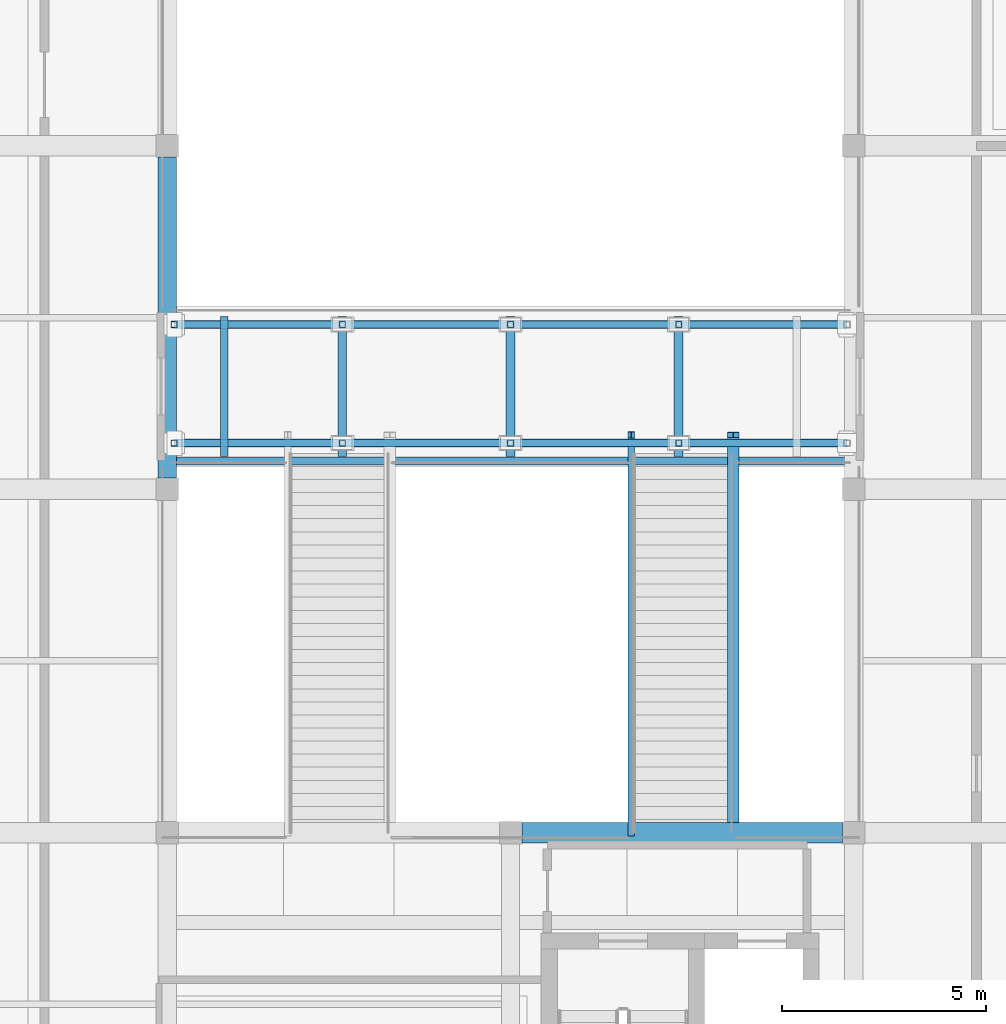
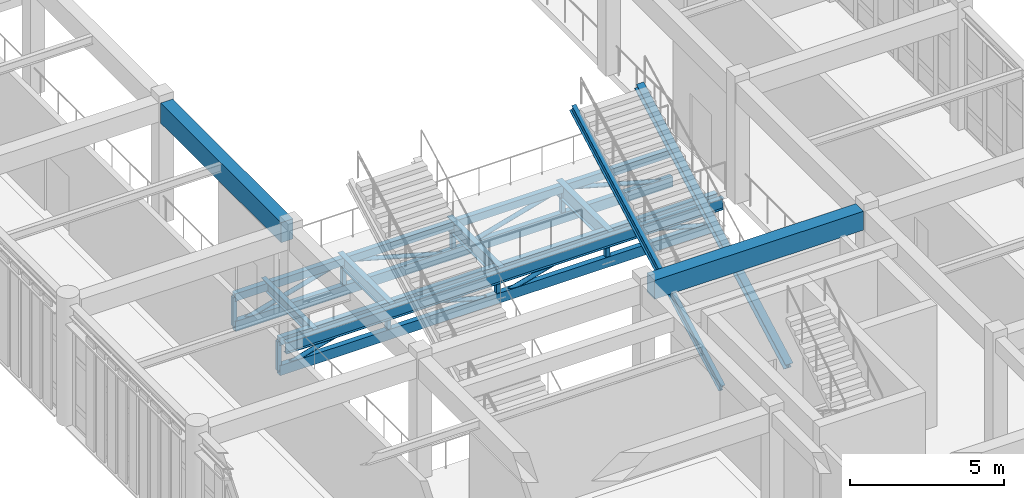
# One storey, part 19 of 106: 22 members, 7 beams.
"""IFC4 building model written with IfcOpenShell, lengths in metres."""

from ifc_helpers import new_model, si_unit, direction, frame, origin, origin_2d, place, context, subcontext, project, spatial, rectangle, hollow_rectangle, hollow_circle, i_section, extrude, material, material_profile, profile_set, type_object, element, save


model = new_model("IFC4")

# Units and contexts
model_context = context("Model", 3, precision=1e-05, world=origin(), true_north=direction((0.0, 1.0)))
body_context = subcontext(model_context, "Body", "Model", "MODEL_VIEW")
ifc_project = project(units=[si_unit("LENGTHUNIT", "METRE"), si_unit("AREAUNIT", "SQUARE_METRE"), si_unit("VOLUMEUNIT", "CUBIC_METRE"), si_unit("PLANEANGLEUNIT", "RADIAN"), si_unit("MASSUNIT", "GRAM", prefix="KILO")], contexts=[model_context])

# Site, building, storey
site_placement = place(None, origin())
site = spatial("IfcSite", under=ifc_project, at=site_placement, CompositionType="ELEMENT")
building_placement = place(site_placement, origin())
building = spatial("IfcBuilding", under=site, at=building_placement, Name="Krzemoval Escarpment Law Courts", CompositionType="ELEMENT")
storey_placement = place(building_placement, frame((0.0, 0.0, 5.10009765625)))
storey = spatial("IfcBuildingStorey", under=building, at=storey_placement, Name="L01", CompositionType="ELEMENT", Elevation=5.10009765625)

# Beams
ifc_material_1 = material(Name="Concrete C40/50", Category="concrete")
ifc_material_profile_1 = material_profile(ifc_material_1, rectangle(XDim=0.449951171875, YDim=0.800048828125, at=origin_2d()), Name="RCB 450x800")
ifc_profile_set_1 = profile_set([ifc_material_profile_1], Name="Concrete C40/50")
beam_type_1 = type_object("IfcBeamType", Name="BM-RC-450x800", PredefinedType="BEAM", material=ifc_profile_set_1)
beam_1_placement = place(storey_placement, frame((16.800048828125, 57.875, 4.419921875), z_axis=(0.0, 1.0, 0.0), x_axis=(-1.0, 0.0, 0.0)))
element("IfcBeam", 1, at=beam_1_placement, inside=storey, type_object=beam_type_1, Name="Beam FG-L01-1401", PredefinedType="BEAM", context=body_context, shape_type="SweptSolid", body=[
    extrude(rectangle(XDim=0.449951171875, YDim=0.800048828125, at=origin_2d()), origin(), (0.0, 0.0, 1.0), 7.85009765625),
])
ifc_material_2 = material(Name="Concrete C40/50", Category="concrete")
ifc_material_profile_2 = material_profile(ifc_material_2, rectangle(XDim=0.5, YDim=0.75, at=origin_2d()), Name="RCB 500x750")
ifc_profile_set_2 = profile_set([ifc_material_profile_2], Name="Concrete C40/50")
beam_type_2 = type_object("IfcBeamType", Name="BM-RC-500x750", PredefinedType="BEAM", material=ifc_profile_set_2)
beam_2_placement = place(storey_placement, frame((25.47509765625, 49.199951171875, 4.44482421875), z_axis=(1.0, 0.0, 0.0), x_axis=(0.0, 1.0, 0.0)))
element("IfcBeam", 2, at=beam_2_placement, inside=storey, type_object=beam_type_2, Name="Beam FG-L01-1247", PredefinedType="BEAM", context=body_context, shape_type="SweptSolid", body=[
    extrude(rectangle(XDim=0.5, YDim=0.75, at=origin_2d()), origin(), (0.0, 0.0, 1.0), 7.849853515625),
])
ifc_material_3 = material(Name="Steel S355", Category="steel")
ifc_material_profile_3 = material_profile(ifc_material_3, i_section(OverallWidth=0.179931640625, OverallDepth=0.39990234375, WebThickness=0.008544921875, FlangeThickness=0.013427734375, at=origin_2d()), Name="IPE 400")
ifc_profile_set_3 = profile_set([ifc_material_profile_3], Name="Steel S355")
beam_type_3 = type_object("IfcBeamType", Name="BM-S355-IPE400", PredefinedType="BEAM", material=ifc_profile_set_3)
beam_3_placement = place(storey_placement, frame((18.199951171875, 58.39990234375, -0.5), z_axis=(0.0, 1.0, 0.0), x_axis=(-1.0, 0.0, 0.0)))
element("IfcBeam", 3, at=beam_3_placement, inside=storey, type_object=beam_type_3, Name="Bridge Cross Beam BBM-2831", PredefinedType="BEAM", context=body_context, shape_type="SweptSolid", body=[
    extrude(i_section(OverallWidth=0.179931640625, OverallDepth=0.39990234375, WebThickness=0.008544921875, FlangeThickness=0.013427734375, at=origin_2d()), origin(), (0.0, 0.0, 1.0), 3.43017578125),
])
ifc_material_4 = material(Name="Steel S355", Category="steel")
ifc_material_profile_4 = material_profile(ifc_material_4, i_section(OverallWidth=0.18994140625, OverallDepth=0.449951171875, WebThickness=0.009521484375, FlangeThickness=0.0146484375, at=origin_2d()), Name="IPE 450")
ifc_profile_set_4 = profile_set([ifc_material_profile_4], Name="Steel S355")
beam_type_4 = type_object("IfcBeamType", Name="BM-S355-IPE450", PredefinedType="BEAM", material=ifc_profile_set_4)
beam_4_placement = place(storey_placement, frame((16.969970703125, 58.2900390625, -0.525146484375), z_axis=(1.0, 0.0, 0.0), x_axis=(0.0, 1.0, 0.0)))
element("IfcBeam", 4, at=beam_4_placement, inside=storey, type_object=beam_type_4, Name="Sky-Bridge Stair Header Beam BSB-BRG-L01-1", PredefinedType="BEAM", context=body_context, shape_type="SweptSolid", body=[
    extrude(i_section(OverallWidth=0.18994140625, OverallDepth=0.449951171875, WebThickness=0.009521484375, FlangeThickness=0.0146484375, at=origin_2d()), origin(), (0.0, 0.0, 1.0), 16.4599609375),
])
ifc_material_5 = material(Name="Steel S355", Category="steel")
ifc_material_profile_5 = material_profile(ifc_material_5, i_section(OverallWidth=0.199951171875, OverallDepth=0.5, WebThickness=0.01025390625, FlangeThickness=0.01611328125, at=origin_2d()), Name="IPE 500")
ifc_profile_set_5 = profile_set([ifc_material_profile_5], Name="Steel S355")
beam_type_5 = type_object("IfcBeamType", Name="BM-S355-IPE500", PredefinedType="BEAM", material=ifc_profile_set_5)
beam_5_placement = place(storey_placement, frame((21.0849609375, 58.39990234375, -0.550048828125), z_axis=(0.0, 1.0, 0.0), x_axis=(-1.0, 0.0, 0.0)))
element("IfcBeam", 5, at=beam_5_placement, inside=storey, type_object=beam_type_5, Name="Bridge Cross Beam BBM-2832", PredefinedType="BEAM", context=body_context, shape_type="SweptSolid", body=[
    extrude(i_section(OverallWidth=0.199951171875, OverallDepth=0.5, WebThickness=0.01025390625, FlangeThickness=0.01611328125, at=origin_2d()), origin(), (0.0, 0.0, 1.0), 3.43017578125),
])
ifc_material_6 = material(Name="Steel S355", Category="steel")
ifc_material_profile_6 = material_profile(ifc_material_6, i_section(OverallWidth=0.2099609375, OverallDepth=0.550048828125, WebThickness=0.010986328125, FlangeThickness=0.01708984375, at=origin_2d()), Name="IPE 550")
ifc_profile_set_6 = profile_set([ifc_material_profile_6], Name="Steel S355")
beam_type_6 = type_object("IfcBeamType", Name="BM-S355-IPE550", PredefinedType="BEAM", material=ifc_profile_set_6)
beam_6_placement = place(storey_placement, frame((25.199951171875, 58.39990234375, -0.5751953125), z_axis=(0.0, 1.0, 0.0), x_axis=(-1.0, 0.0, 0.0)))
element("IfcBeam", 6, at=beam_6_placement, inside=storey, type_object=beam_type_6, Name="Bridge Cross Beam BBM-2833", PredefinedType="BEAM", context=body_context, shape_type="SweptSolid", body=[
    extrude(i_section(OverallWidth=0.2099609375, OverallDepth=0.550048828125, WebThickness=0.010986328125, FlangeThickness=0.01708984375, at=origin_2d()), origin(), (0.0, 0.0, 1.0), 3.43017578125),
])
ifc_material_7 = material(Name="Steel S355", Category="steel")
ifc_material_profile_7 = material_profile(ifc_material_7, i_section(OverallWidth=0.219970703125, OverallDepth=0.60009765625, WebThickness=0.011962890625, FlangeThickness=0.01904296875, at=origin_2d()), Name="IPE 600")
ifc_profile_set_7 = profile_set([ifc_material_profile_7], Name="Steel S355")
beam_type_7 = type_object("IfcBeamType", Name="BM-S355-IPE600", PredefinedType="BEAM", material=ifc_profile_set_7)
beam_7_placement = place(storey_placement, frame((29.31494140625, 58.39990234375, -0.60009765625), z_axis=(0.0, 1.0, 0.0), x_axis=(-1.0, 0.0, 0.0)))
element("IfcBeam", 7, at=beam_7_placement, inside=storey, type_object=beam_type_7, Name="Bridge Cross Beam BBM-2834", PredefinedType="BEAM", context=body_context, shape_type="SweptSolid", body=[
    extrude(i_section(OverallWidth=0.219970703125, OverallDepth=0.60009765625, WebThickness=0.011962890625, FlangeThickness=0.01904296875, at=origin_2d()), origin(), (0.0, 0.0, 1.0), 3.43017578125),
])

# Members
ifc_material_8 = material(Name="Steel S355", Category="steel")
ifc_material_profile_8 = material_profile(ifc_material_8, hollow_circle(Radius=0.084228515625, WallThickness=0.008056640625, at=origin_2d()), Name="CHS 168.3x8")
ifc_profile_set_8 = profile_set([ifc_material_profile_8], Name="Steel S355")
member_type_1 = type_object("IfcMemberType", Name="MBR-BRC-CHS168", PredefinedType="BRACE", material=ifc_profile_set_8)
for number, where, z_axis, x_axis, name in (
    (8, (16.969970703125, 58.72998046875, -1.670166015625), (0.963088538909, 0.0, 0.269184817965), (0.0, 1.0, 0.0), "Bridge Truss Diagonal BBR-0097"),
    (9, (21.0849609375, 58.72998046875, -0.52001953125), (0.963088538909, 0.0, -0.269184817965), (0.0, 1.0, 0.0), "Bridge Truss Diagonal BBR-0098"),
    (10, (25.199951171875, 58.72998046875, -1.670166015625), (0.963088538909, 0.0, 0.269184817965), (0.0, 1.0, 0.0), "Bridge Truss Diagonal BBR-0099"),
    (11, (29.31494140625, 58.72998046875, -0.52001953125), (0.963088538909, 0.0, -0.269184817965), (0.0, 1.0, 0.0), "Bridge Truss Diagonal BBR-0100"),
    (12, (16.969970703125, 61.6298828125, -1.670166015625), (0.963088538909, 0.0, 0.269184817965), (0.0, 1.0, 0.0), "Bridge Truss Diagonal BBR-0108"),
    (13, (21.0849609375, 61.6298828125, -0.52001953125), (0.963088538909, 0.0, -0.269184817965), (0.0, 1.0, 0.0), "Bridge Truss Diagonal BBR-0109"),
    (14, (25.199951171875, 61.6298828125, -1.670166015625), (0.963088538909, 0.0, 0.269184817965), (0.0, 1.0, 0.0), "Bridge Truss Diagonal BBR-0110"),
    (15, (29.31494140625, 61.6298828125, -0.52001953125), (0.963088538909, 0.0, -0.269184817965), (0.0, 1.0, 0.0), "Bridge Truss Diagonal BBR-0111"),
):
    element("IfcMember", number, at=place(storey_placement, frame(where, z_axis=z_axis, x_axis=x_axis)), inside=storey, type_object=member_type_1, Name=name, PredefinedType="BRACE", context=body_context, shape_type="SweptSolid", body=[
        extrude(hollow_circle(Radius=0.084228515625, WallThickness=0.008056640625, at=origin_2d()), origin(), (0.0, 0.0, 1.0), 4.272705078125),
    ])
ifc_material_9 = material(Name="Steel S355", Category="steel")
ifc_material_profile_9 = material_profile(ifc_material_9, hollow_rectangle(XDim=0.199951171875, YDim=0.300048828125, WallThickness=0.012451171875, at=origin_2d()), Name="RHS 300x200x12.5")
ifc_profile_set_9 = profile_set([ifc_material_profile_9], Name="Steel S355")
member_type_2 = type_object("IfcMemberType", Name="MBR-CHD-RHS300", PredefinedType="CHORD", material=ifc_profile_set_9)
for number, where, z_axis, x_axis, name in (
    (16, (16.969970703125, 58.72998046875, -0.52001953125), (1.0, 0.0, 0.0), (0.0, 1.0, 0.0), "Bridge Truss Chord BTC-0096"),
    (17, (16.969970703125, 61.6298828125, -0.52001953125), (1.0, 0.0, 0.0), (0.0, 1.0, 0.0), "Bridge Truss Chord BTC-0107"),
):
    element("IfcMember", number, at=place(storey_placement, frame(where, z_axis=z_axis, x_axis=x_axis)), inside=storey, type_object=member_type_2, Name=name, PredefinedType="CHORD", context=body_context, shape_type="SweptSolid", body=[
        extrude(hollow_rectangle(XDim=0.199951171875, YDim=0.300048828125, WallThickness=0.012451171875, at=origin_2d()), origin(), (0.0, 0.0, 1.0), 16.4599609375),
    ])
ifc_material_10 = material(Name="Steel S355", Category="steel")
ifc_material_profile_10 = material_profile(ifc_material_10, hollow_rectangle(XDim=0.199951171875, YDim=0.39990234375, WallThickness=0.012451171875, at=origin_2d()), Name="RHS 400x200x12.5")
ifc_profile_set_10 = profile_set([ifc_material_profile_10], Name="Steel S355")
member_type_3 = type_object("IfcMemberType", Name="MBR-CHD-RHS400", PredefinedType="CHORD", material=ifc_profile_set_10)
for number, where, z_axis, x_axis, name in (
    (18, (16.969970703125, 58.72998046875, -1.670166015625), (1.0, 0.0, 0.0), (0.0, 1.0, 0.0), "Bridge Truss Chord BTC-0095"),
    (19, (16.969970703125, 61.6298828125, -1.670166015625), (1.0, 0.0, 0.0), (0.0, 1.0, 0.0), "Bridge Truss Chord BTC-0106"),
):
    element("IfcMember", number, at=place(storey_placement, frame(where, z_axis=z_axis, x_axis=x_axis)), inside=storey, type_object=member_type_3, Name=name, PredefinedType="CHORD", context=body_context, shape_type="SweptSolid", body=[
        extrude(hollow_rectangle(XDim=0.199951171875, YDim=0.39990234375, WallThickness=0.012451171875, at=origin_2d()), origin(), (0.0, 0.0, 1.0), 16.4599609375),
    ])
ifc_material_11 = material(Name="Steel S355", Category="steel")
ifc_material_profile_11 = material_profile(ifc_material_11, i_section(OverallWidth=0.280029296875, OverallDepth=0.280029296875, WebThickness=0.010498046875, FlangeThickness=0.01806640625, at=origin_2d()), Name="HEB 280")
ifc_profile_set_11 = profile_set([ifc_material_profile_11], Name="Steel S355")
member_type_4 = type_object("IfcMemberType", Name="MBR-STG-HEB280", PredefinedType="STRINGER", material=ifc_profile_set_11)
member_1_placement = place(storey_placement, frame((30.64990234375, 49.199951171875, -0.550048828125), z_axis=(0.0, 0.879306595946, 0.476256139411), x_axis=(-1.0, 0.0, 0.0)))
element("IfcMember", 20, at=member_1_placement, inside=storey, type_object=member_type_4, Name="Stair Stringer STG-0274", PredefinedType="STRINGER", context=body_context, shape_type="SweptSolid", body=[
    extrude(i_section(OverallWidth=0.280029296875, OverallDepth=0.280029296875, WebThickness=0.010498046875, FlangeThickness=0.01806640625, at=origin_2d()), origin(), (0.0, 0.0, 1.0), 11.0654296875),
])
ifc_material_12 = material(Name="Steel S355", Category="steel")
ifc_material_profile_12 = material_profile(ifc_material_12, i_section(OverallWidth=0.159912109375, OverallDepth=0.330078125, WebThickness=0.007568359375, FlangeThickness=0.011474609375, at=origin_2d()), Name="IPE 330")
ifc_profile_set_12 = profile_set([ifc_material_profile_12], Name="Steel S355")
member_type_5 = type_object("IfcMemberType", Name="MBR-STG-IPE330", PredefinedType="STRINGER", material=ifc_profile_set_12)
member_2_placement = place(storey_placement, frame((28.14990234375, 49.199951171875, -0.550048828125), z_axis=(0.0, 0.879306595946, 0.476256139411), x_axis=(-1.0, 0.0, 0.0)))
element("IfcMember", 21, at=member_2_placement, inside=storey, type_object=member_type_5, Name="Stair Stringer STG-0273", PredefinedType="STRINGER", context=body_context, shape_type="SweptSolid", body=[
    extrude(i_section(OverallWidth=0.159912109375, OverallDepth=0.330078125, WebThickness=0.007568359375, FlangeThickness=0.011474609375, at=origin_2d()), origin(), (0.0, 0.0, 1.0), 11.0654296875),
])
ifc_material_13 = material(Name="Steel S355", Category="steel")
ifc_material_profile_13 = material_profile(ifc_material_13, hollow_rectangle(XDim=0.14990234375, YDim=0.14990234375, WallThickness=0.008056640625, at=origin_2d()), Name="SHS 150x150x8")
ifc_profile_set_13 = profile_set([ifc_material_profile_13], Name="Steel S355")
member_type_6 = type_object("IfcMemberType", Name="MBR-STR-SHS150", PredefinedType="STRUT", material=ifc_profile_set_13)
for number, where, z_axis, x_axis, name in (
    (22, (16.969970703125, 58.72998046875, -1.670166015625), (0.0, 0.0, 1.0), (1.0, 0.0, 0.0), "Bridge Truss Strut BST-0101"),
    (23, (21.0849609375, 58.72998046875, -1.670166015625), (0.0, 0.0, 1.0), (1.0, 0.0, 0.0), "Bridge Truss Strut BST-0102"),
    (24, (25.199951171875, 58.72998046875, -1.670166015625), (0.0, 0.0, 1.0), (1.0, 0.0, 0.0), "Bridge Truss Strut BST-0103"),
    (25, (29.31494140625, 58.72998046875, -1.670166015625), (0.0, 0.0, 1.0), (1.0, 0.0, 0.0), "Bridge Truss Strut BST-0104"),
    (26, (16.969970703125, 61.6298828125, -1.670166015625), (0.0, 0.0, 1.0), (1.0, 0.0, 0.0), "Bridge Truss Strut BST-0112"),
    (27, (21.0849609375, 61.6298828125, -1.670166015625), (0.0, 0.0, 1.0), (1.0, 0.0, 0.0), "Bridge Truss Strut BST-0113"),
    (28, (25.199951171875, 61.6298828125, -1.670166015625), (0.0, 0.0, 1.0), (1.0, 0.0, 0.0), "Bridge Truss Strut BST-0114"),
    (29, (29.31494140625, 61.6298828125, -1.670166015625), (0.0, 0.0, 1.0), (1.0, 0.0, 0.0), "Bridge Truss Strut BST-0115"),
):
    element("IfcMember", number, at=place(storey_placement, frame(where, z_axis=z_axis, x_axis=x_axis)), inside=storey, type_object=member_type_6, Name=name, PredefinedType="STRUT", context=body_context, shape_type="SweptSolid", body=[
        extrude(hollow_rectangle(XDim=0.14990234375, YDim=0.14990234375, WallThickness=0.008056640625, at=origin_2d()), origin(), (0.0, 0.0, 1.0), 1.150146484375),
    ])

save(model, "model.ifc")
